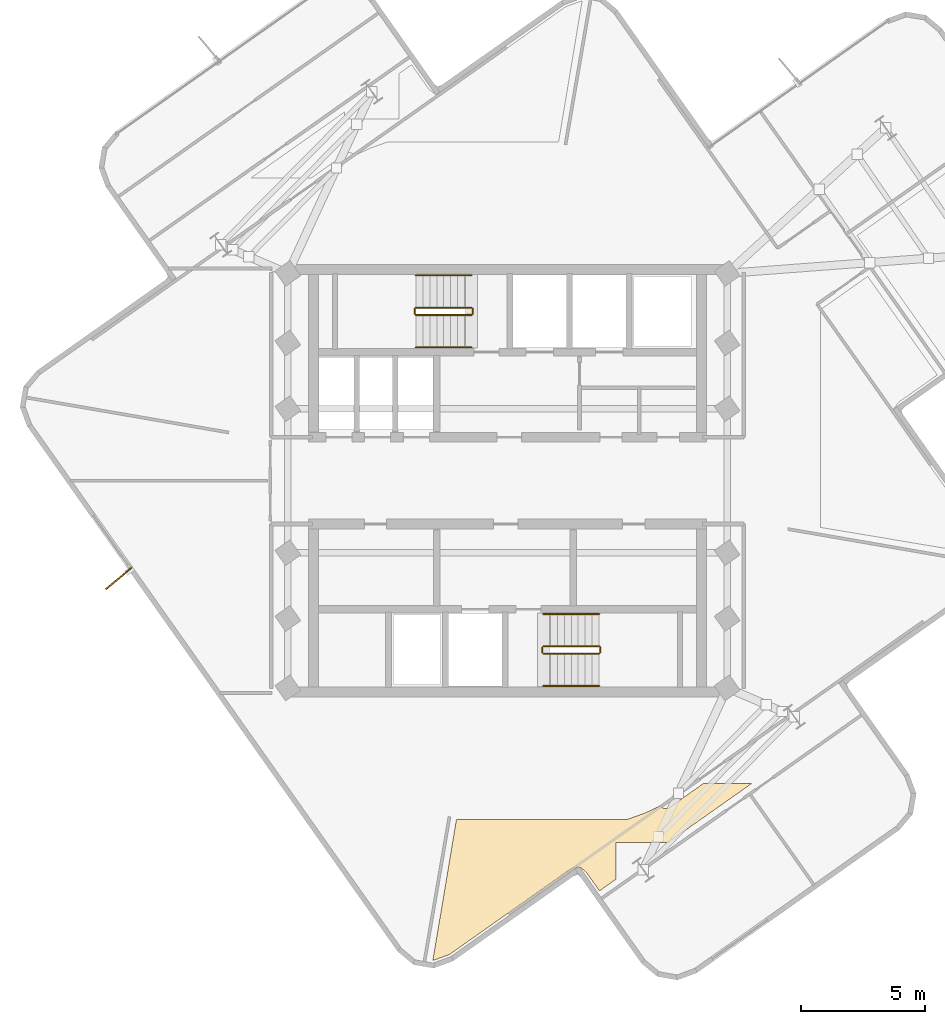
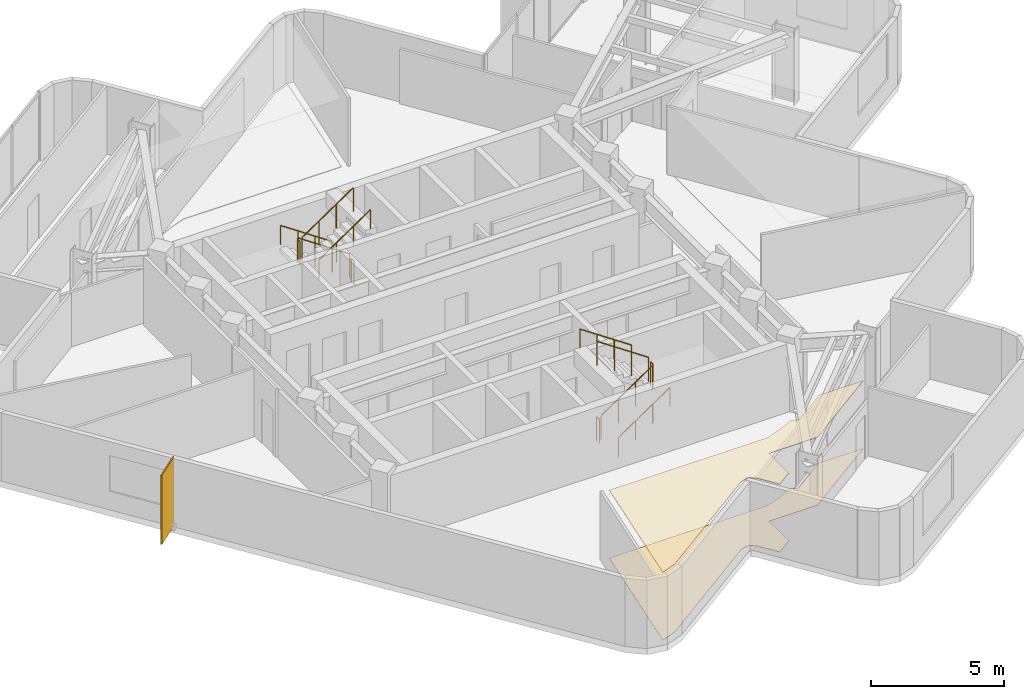
# One storey, part 7 of 8: 12 railings, 2 coverings, 1 shading device.
"""IFC4 building model written with IfcOpenShell, lengths in metres."""

from ifc_helpers import new_model, si_unit, direction, frame, origin, origin_2d, place, context, subcontext, project, spatial, polyline, rectangle, circle, outline, extrude, material, layer, layer_set, type_object, element, save


model = new_model("IFC4")

# Units and contexts
model_context = context("Model", 3, precision=1e-05, world=origin(), true_north=direction((0.0, 1.0)))
body_context = subcontext(model_context, "Body", "Model", "MODEL_VIEW")
ifc_project = project(units=[si_unit("LENGTHUNIT", "METRE"), si_unit("AREAUNIT", "SQUARE_METRE"), si_unit("VOLUMEUNIT", "CUBIC_METRE"), si_unit("PLANEANGLEUNIT", "RADIAN"), si_unit("MASSUNIT", "GRAM", prefix="KILO")], contexts=[model_context])

# Site, building, storey
site_placement = place(None, origin())
site = spatial("IfcSite", under=ifc_project, at=site_placement, CompositionType="ELEMENT")
building_placement = place(site_placement, origin())
building = spatial("IfcBuilding", under=site, at=building_placement, Name="Solmarez Civic Tower", CompositionType="ELEMENT")
storey_placement = place(building_placement, frame((0.0, 0.0, 225.719970703125)))
storey = spatial("IfcBuildingStorey", under=building, at=storey_placement, Name="L60", CompositionType="ELEMENT", Elevation=225.719970703125)

# Coverings
ifc_material_1 = material(Name="Perforated Mineral-Fibre Acoustic Ceiling")
ifc_layer_1 = layer(ifc_material_1, 0.02490234375)
ifc_layer_set_1 = layer_set([ifc_layer_1], Name="Perforated Mineral-Fibre Acoustic Ceiling")
covering_type_1 = type_object("IfcCoveringType", Name="COV-CEIL-ACOUSTIC", PredefinedType="CEILING", material=ifc_layer_set_1)
covering_1_placement = place(storey_placement, frame((0.0, 0.0, 3.114990234375)))
element("IfcCovering", 1, at=covering_1_placement, inside=storey, type_object=covering_type_1, Name="L60 Suspended Acoustic Ceiling 2", PredefinedType="CEILING", context=body_context, shape_type="SweptSolid", body=[
    extrude(outline(polyline([(2.56005859375, -15.64794921875), (2.715087890625, -15.590087890625), (2.73193359375, -15.583984375), (2.739013671875, -15.58203125), (2.74609375, -15.5810546875), (2.75390625, -15.5791015625), (2.77587890625, -15.573974609375), (2.782958984375, -15.572998046875), (2.81396484375, -15.571044921875), (2.822021484375, -15.571044921875), (2.84912109375, -15.572998046875), (2.861083984375, -15.573974609375), (2.867919921875, -15.574951171875), (2.89697265625, -15.5810546875), (2.904052734375, -15.5830078125), (2.9208984375, -15.589111328125), (2.928955078125, -15.592041015625), (2.949951171875, -15.60107421875), (2.9560546875, -15.60400390625), (2.967041015625, -15.610107421875), (2.97412109375, -15.614013671875), (2.989990234375, -15.6240234375), (3.006103515625, -15.635986328125), (3.011962890625, -15.64111328125), (3.14404296875, -15.7509765625), (3.158935546875, -15.763916015625), (3.1640625, -15.76904296875), (3.1689453125, -15.77392578125), (3.18505859375, -15.79296875), (3.18896484375, -15.798095703125), (3.197021484375, -15.80810546875), (3.7041015625, -16.527099609375), (4.367919921875, -16.05908203125), (4.367919921875, -14.571044921875), (6.47705078125, -14.571044921875), (9.837890625, -12.199951171875), (7.89404296875, -12.199951171875), (6.528076171875, -13.1640625), (6.510009765625, -13.175048828125), (6.489990234375, -13.18505859375), (6.48095703125, -13.18896484375), (6.47412109375, -13.19189453125), (6.468994140625, -13.194091796875), (6.448974609375, -13.200927734375), (6.428955078125, -13.2060546875), (6.408935546875, -13.208984375), (6.39892578125, -13.2099609375), (6.3759765625, -13.2109375), (6.35302734375, -13.2099609375), (6.343994140625, -13.208984375), (6.324951171875, -13.2060546875), (6.320068359375, -13.205078125), (6.29296875, -13.197998046875), (6.283935546875, -13.195068359375), (6.261962890625, -13.18603515625), (6.240966796875, -13.175048828125), (6.236083984375, -13.172119140625), (6.219970703125, -13.160888671875), (6.2060546875, -13.14990234375), (6.198974609375, -13.14404296875), (6.18603515625, -13.133056640625), (6.178955078125, -13.1259765625), (6.1669921875, -13.112060546875), (6.156005859375, -13.097900390625), (5.552978515625, -13.384033203125), (5.532958984375, -13.39208984375), (4.85107421875, -13.635986328125), (4.844970703125, -13.637939453125), (4.818115234375, -13.64501953125), (4.81298828125, -13.64599609375), (4.7919921875, -13.64892578125), (4.77001953125, -13.64990234375), (-2.05810546875, -13.64990234375), (-3.007080078125, -19.330078125), (-3.0, -19.3310546875), (-2.3349609375, -19.0869140625), (2.485107421875, -15.68505859375), (2.489990234375, -15.681884765625), (2.49609375, -15.677978515625), (2.52001953125, -15.6640625), (2.52587890625, -15.660888671875), (2.5439453125, -15.653076171875), (2.56005859375, -15.64794921875)])), origin(), (0.0, 0.0, 1.0), 0.025146484375),
])
ifc_material_2 = material(Name="Polished Tropical Stone Terrazzo Flooring", Category="masonry")
ifc_layer_2 = layer(ifc_material_2, 0.02001953125)
ifc_layer_set_2 = layer_set([ifc_layer_2], Name="Polished Tropical Stone Terrazzo Flooring")
covering_type_2 = type_object("IfcCoveringType", Name="COV-FLOOR-TERRAZZO", PredefinedType="FLOORING", material=ifc_layer_set_2)
covering_2_placement = place(storey_placement, origin())
element("IfcCovering", 2, at=covering_2_placement, inside=storey, type_object=covering_type_2, Name="L60 Terrazzo Floor Finish 2", PredefinedType="FLOORING", context=body_context, shape_type="SweptSolid", body=[
    extrude(outline(polyline([(2.56005859375, -15.64794921875), (2.715087890625, -15.590087890625), (2.73193359375, -15.583984375), (2.739013671875, -15.58203125), (2.74609375, -15.5810546875), (2.75390625, -15.5791015625), (2.77587890625, -15.573974609375), (2.782958984375, -15.572998046875), (2.81396484375, -15.571044921875), (2.822021484375, -15.571044921875), (2.84912109375, -15.572998046875), (2.861083984375, -15.573974609375), (2.867919921875, -15.574951171875), (2.89697265625, -15.5810546875), (2.904052734375, -15.5830078125), (2.9208984375, -15.589111328125), (2.928955078125, -15.592041015625), (2.949951171875, -15.60107421875), (2.9560546875, -15.60400390625), (2.967041015625, -15.610107421875), (2.97412109375, -15.614013671875), (2.989990234375, -15.6240234375), (3.006103515625, -15.635986328125), (3.011962890625, -15.64111328125), (3.14404296875, -15.7509765625), (3.158935546875, -15.763916015625), (3.1640625, -15.76904296875), (3.1689453125, -15.77392578125), (3.18505859375, -15.79296875), (3.18896484375, -15.798095703125), (3.197021484375, -15.80810546875), (3.7041015625, -16.527099609375), (4.367919921875, -16.05908203125), (4.367919921875, -14.571044921875), (6.47705078125, -14.571044921875), (9.837890625, -12.199951171875), (7.89404296875, -12.199951171875), (6.528076171875, -13.1640625), (6.510009765625, -13.175048828125), (6.489990234375, -13.18505859375), (6.48095703125, -13.18896484375), (6.47412109375, -13.19189453125), (6.468994140625, -13.194091796875), (6.448974609375, -13.200927734375), (6.428955078125, -13.2060546875), (6.408935546875, -13.208984375), (6.39892578125, -13.2099609375), (6.3759765625, -13.2109375), (6.35302734375, -13.2099609375), (6.343994140625, -13.208984375), (6.324951171875, -13.2060546875), (6.320068359375, -13.205078125), (6.29296875, -13.197998046875), (6.283935546875, -13.195068359375), (6.261962890625, -13.18603515625), (6.240966796875, -13.175048828125), (6.236083984375, -13.172119140625), (6.219970703125, -13.160888671875), (6.2060546875, -13.14990234375), (6.198974609375, -13.14404296875), (6.18603515625, -13.133056640625), (6.178955078125, -13.1259765625), (6.1669921875, -13.112060546875), (6.156005859375, -13.097900390625), (5.552978515625, -13.384033203125), (5.532958984375, -13.39208984375), (4.85107421875, -13.635986328125), (4.844970703125, -13.637939453125), (4.818115234375, -13.64501953125), (4.81298828125, -13.64599609375), (4.7919921875, -13.64892578125), (4.77001953125, -13.64990234375), (-2.05810546875, -13.64990234375), (-3.007080078125, -19.330078125), (-3.0, -19.3310546875), (-2.3349609375, -19.0869140625), (2.485107421875, -15.68505859375), (2.489990234375, -15.681884765625), (2.49609375, -15.677978515625), (2.52001953125, -15.6640625), (2.52587890625, -15.660888671875), (2.5439453125, -15.653076171875), (2.56005859375, -15.64794921875)])), origin(), (0.0, 0.0, 1.0), 0.02001953125),
])

# Shading device
ifc_material_3 = material(Name="Bronze Anodised Aluminium EN AW-6063 T6", Category="aluminium")
ifc_layer_3 = layer(ifc_material_3, 0.054931640625)
ifc_layer_set_3 = layer_set([ifc_layer_3], Name="Bronze Anodised Aluminium EN AW-6063 T6")
shading_device_type = type_object("IfcShadingDeviceType", Name="FIN-BRONZE-Z56", PredefinedType="USERDEFINED", material=ifc_layer_set_3)
shading_device_placement = place(storey_placement, frame((-15.6669921875, -3.943115234375, -0.0400390625), z_axis=(0.0, 0.0, 1.0), x_axis=(-0.766705943706, -0.641998439161, 0.0)))
element("IfcShadingDevice", 3, at=shading_device_placement, inside=storey, type_object=shading_device_type, Name="L60 Anodised Bronze Solar Fin FIN-L60-01", ObjectType="FIN", PredefinedType="USERDEFINED", context=body_context, shape_type="SweptSolid", body=[
    extrude(rectangle(XDim=1.35009765625, YDim=0.054931640625, at=origin_2d()), origin(), (0.0, 0.0, 1.0), 3.179931640625),
])

# Railings
ifc_material_4 = material(Name="Painted Steel Stairwell Safety Guard", Category="steel")
railing_type_1 = type_object("IfcRailingType", Name="GUARD-STAIR-1120", PredefinedType="BALUSTRADE", material=ifc_material_4)
railing_1_placement = place(storey_placement, frame((-1.449951171875, 6.969970703125, 0.18994140625)))
element("IfcRailing", 4, at=railing_1_placement, inside=storey, type_object=railing_type_1, Name="L60 ST-1 stair guard 1", PredefinedType="BALUSTRADE", context=body_context, shape_type="SweptSolid", body=[
    extrude(circle(Radius=0.02392578125, at=origin_2d()), frame((0.0, 0.0, 1.09619140625), z_axis=(-0.827471284677, 0.0, 0.561508034703), x_axis=(0.0, -1.0, 0.0)), (0.0, 0.0, 1.0), 2.70703125),
    extrude(circle(Radius=0.02099609375, at=origin_2d()), origin(), (0.0, 0.0, 1.0), 1.072021484375),
    extrude(circle(Radius=0.02099609375, at=origin_2d()), frame((-0.74658203125, 0.0, 0.506591796875)), (0.0, 0.0, 1.0), 1.072021484375),
    extrude(circle(Radius=0.02099609375, at=origin_2d()), frame((-1.493408203125, 0.0, 1.013427734375)), (0.0, 0.0, 1.0), 1.072021484375),
    extrude(circle(Radius=0.02099609375, at=origin_2d()), frame((-2.239990234375, 0.0, 1.52001953125)), (0.0, 0.0, 1.0), 1.072021484375),
])
railing_2_placement = place(storey_placement, frame((-3.739990234375, 6.919921875, 1.7099609375)))
element("IfcRailing", 5, at=railing_2_placement, inside=storey, type_object=railing_type_1, Name="L60 ST-1 stair guard 2", PredefinedType="BALUSTRADE", context=body_context, shape_type="SweptSolid", body=[
    extrude(circle(Radius=0.02392578125, at=origin_2d()), frame((0.0, 0.0, 1.09619140625), z_axis=(0.0, -1.0, 0.0), x_axis=(1.0, 0.0, 0.0)), (0.0, 0.0, 1.0), 0.199951171875),
    extrude(circle(Radius=0.02099609375, at=origin_2d()), origin(), (0.0, 0.0, 1.0), 1.072021484375),
    extrude(circle(Radius=0.02099609375, at=origin_2d()), frame((0.0, -0.199951171875, 0.0)), (0.0, 0.0, 1.0), 1.072021484375),
])
railing_3_placement = place(storey_placement, frame((-3.68994140625, 6.669921875, 1.900146484375)))
element("IfcRailing", 6, at=railing_3_placement, inside=storey, type_object=railing_type_1, Name="L60 ST-1 stair guard 3", PredefinedType="BALUSTRADE", context=body_context, shape_type="SweptSolid", body=[
    extrude(circle(Radius=0.02392578125, at=origin_2d()), frame((0.0, 0.0, 1.09619140625), z_axis=(0.827513188522, 0.0, 0.561446277771), x_axis=(0.0, 1.0, 0.0)), (0.0, 0.0, 1.0), 2.706787109375),
    extrude(circle(Radius=0.02099609375, at=origin_2d()), origin(), (0.0, 0.0, 1.0), 1.072021484375),
    extrude(circle(Radius=0.02099609375, at=origin_2d()), frame((0.74658203125, 0.0, 0.506591796875)), (0.0, 0.0, 1.0), 1.072021484375),
    extrude(circle(Radius=0.02099609375, at=origin_2d()), frame((1.493408203125, 0.0, 1.01318359375)), (0.0, 0.0, 1.0), 1.072021484375),
    extrude(circle(Radius=0.02099609375, at=origin_2d()), frame((2.239990234375, 0.0, 1.519775390625)), (0.0, 0.0, 1.0), 1.072021484375),
])
railing_4_placement = place(storey_placement, frame((-1.39990234375, 6.919921875, 0.0)))
element("IfcRailing", 7, at=railing_4_placement, inside=storey, type_object=railing_type_1, Name="L60 ST-1 stair guard 4", PredefinedType="BALUSTRADE", context=body_context, shape_type="SweptSolid", body=[
    extrude(circle(Radius=0.02392578125, at=origin_2d()), frame((0.0, 0.0, 1.09619140625), z_axis=(0.0, -1.0, 0.0), x_axis=(1.0, 0.0, 0.0)), (0.0, 0.0, 1.0), 0.199951171875),
    extrude(circle(Radius=0.02099609375, at=origin_2d()), origin(), (0.0, 0.0, 1.0), 1.072021484375),
    extrude(circle(Radius=0.02099609375, at=origin_2d()), frame((0.0, -0.199951171875, 0.0)), (0.0, 0.0, 1.0), 1.072021484375),
])
railing_5_placement = place(storey_placement, frame((1.449951171875, -6.969970703125, 0.18994140625)))
element("IfcRailing", 8, at=railing_5_placement, inside=storey, type_object=railing_type_1, Name="L60 ST-2 stair guard 1", PredefinedType="BALUSTRADE", context=body_context, shape_type="SweptSolid", body=[
    extrude(circle(Radius=0.02392578125, at=origin_2d()), frame((0.0, 0.0, 1.09619140625), z_axis=(0.827471284677, 0.0, 0.561508034703), x_axis=(0.0, 1.0, 0.0)), (0.0, 0.0, 1.0), 2.70703125),
    extrude(circle(Radius=0.02099609375, at=origin_2d()), origin(), (0.0, 0.0, 1.0), 1.072021484375),
    extrude(circle(Radius=0.02099609375, at=origin_2d()), frame((0.74658203125, 0.0, 0.506591796875)), (0.0, 0.0, 1.0), 1.072021484375),
    extrude(circle(Radius=0.02099609375, at=origin_2d()), frame((1.493408203125, 0.0, 1.013427734375)), (0.0, 0.0, 1.0), 1.072021484375),
    extrude(circle(Radius=0.02099609375, at=origin_2d()), frame((2.239990234375, 0.0, 1.52001953125)), (0.0, 0.0, 1.0), 1.072021484375),
])
railing_6_placement = place(storey_placement, frame((3.739990234375, -6.919921875, 1.7099609375)))
element("IfcRailing", 9, at=railing_6_placement, inside=storey, type_object=railing_type_1, Name="L60 ST-2 stair guard 2", PredefinedType="BALUSTRADE", context=body_context, shape_type="SweptSolid", body=[
    extrude(circle(Radius=0.02392578125, at=origin_2d()), frame((0.0, 0.0, 1.09619140625), z_axis=(0.0, 1.0, 0.0), x_axis=(-1.0, 0.0, 0.0)), (0.0, 0.0, 1.0), 0.199951171875),
    extrude(circle(Radius=0.02099609375, at=origin_2d()), origin(), (0.0, 0.0, 1.0), 1.072021484375),
    extrude(circle(Radius=0.02099609375, at=origin_2d()), frame((0.0, 0.199951171875, 0.0)), (0.0, 0.0, 1.0), 1.072021484375),
])
railing_7_placement = place(storey_placement, frame((3.68994140625, -6.669921875, 1.900146484375)))
element("IfcRailing", 10, at=railing_7_placement, inside=storey, type_object=railing_type_1, Name="L60 ST-2 stair guard 3", PredefinedType="BALUSTRADE", context=body_context, shape_type="SweptSolid", body=[
    extrude(circle(Radius=0.02392578125, at=origin_2d()), frame((0.0, 0.0, 1.09619140625), z_axis=(-0.827513188522, 0.0, 0.561446277771), x_axis=(0.0, -1.0, 0.0)), (0.0, 0.0, 1.0), 2.706787109375),
    extrude(circle(Radius=0.02099609375, at=origin_2d()), origin(), (0.0, 0.0, 1.0), 1.072021484375),
    extrude(circle(Radius=0.02099609375, at=origin_2d()), frame((-0.74658203125, 0.0, 0.506591796875)), (0.0, 0.0, 1.0), 1.072021484375),
    extrude(circle(Radius=0.02099609375, at=origin_2d()), frame((-1.493408203125, 0.0, 1.01318359375)), (0.0, 0.0, 1.0), 1.072021484375),
    extrude(circle(Radius=0.02099609375, at=origin_2d()), frame((-2.239990234375, 0.0, 1.519775390625)), (0.0, 0.0, 1.0), 1.072021484375),
])
railing_8_placement = place(storey_placement, frame((1.39990234375, -6.919921875, 0.0)))
element("IfcRailing", 11, at=railing_8_placement, inside=storey, type_object=railing_type_1, Name="L60 ST-2 stair guard 4", PredefinedType="BALUSTRADE", context=body_context, shape_type="SweptSolid", body=[
    extrude(circle(Radius=0.02392578125, at=origin_2d()), frame((0.0, 0.0, 1.09619140625), z_axis=(0.0, 1.0, 0.0), x_axis=(-1.0, 0.0, 0.0)), (0.0, 0.0, 1.0), 0.199951171875),
    extrude(circle(Radius=0.02099609375, at=origin_2d()), origin(), (0.0, 0.0, 1.0), 1.072021484375),
    extrude(circle(Radius=0.02099609375, at=origin_2d()), frame((0.0, 0.199951171875, 0.0)), (0.0, 0.0, 1.0), 1.072021484375),
])
ifc_material_5 = material(Name="Brushed Stainless Steel Tube Handrail", Category="steel")
railing_type_2 = type_object("IfcRailingType", Name="HANDRAIL-STAIR-900", PredefinedType="HANDRAIL", material=ifc_material_5)
railing_9_placement = place(storey_placement, frame((-1.449951171875, 8.27001953125, 0.18994140625)))
element("IfcRailing", 12, at=railing_9_placement, inside=storey, type_object=railing_type_2, Name="L60 ST-1 stair handrail 1", PredefinedType="HANDRAIL", context=body_context, shape_type="SweptSolid", body=[
    extrude(circle(Radius=0.02392578125, at=origin_2d()), frame((0.0, 0.0, 0.8759765625), z_axis=(-0.827471284677, 0.0, 0.561508034703), x_axis=(0.0, -1.0, 0.0)), (0.0, 0.0, 1.0), 2.70703125),
    extrude(circle(Radius=0.02099609375, at=origin_2d()), origin(), (0.0, 0.0, 1.0), 0.851806640625),
    extrude(circle(Radius=0.02099609375, at=origin_2d()), frame((-0.74658203125, 0.0, 0.506591796875)), (0.0, 0.0, 1.0), 0.851806640625),
    extrude(circle(Radius=0.02099609375, at=origin_2d()), frame((-1.493408203125, 0.0, 1.013427734375)), (0.0, 0.0, 1.0), 0.851806640625),
    extrude(circle(Radius=0.02099609375, at=origin_2d()), frame((-2.239990234375, 0.0, 1.52001953125)), (0.0, 0.0, 1.0), 0.851806640625),
])
railing_10_placement = place(storey_placement, frame((-3.68994140625, 5.3701171875, 1.900146484375)))
element("IfcRailing", 13, at=railing_10_placement, inside=storey, type_object=railing_type_2, Name="L60 ST-1 stair handrail 2", PredefinedType="HANDRAIL", context=body_context, shape_type="SweptSolid", body=[
    extrude(circle(Radius=0.02392578125, at=origin_2d()), frame((0.0, 0.0, 0.8759765625), z_axis=(0.827513188522, 0.0, 0.561446277771), x_axis=(0.0, 1.0, 0.0)), (0.0, 0.0, 1.0), 2.706787109375),
    extrude(circle(Radius=0.02099609375, at=origin_2d()), origin(), (0.0, 0.0, 1.0), 0.851806640625),
    extrude(circle(Radius=0.02099609375, at=origin_2d()), frame((0.74658203125, 0.0, 0.506591796875)), (0.0, 0.0, 1.0), 0.851806640625),
    extrude(circle(Radius=0.02099609375, at=origin_2d()), frame((1.493408203125, 0.0, 1.01318359375)), (0.0, 0.0, 1.0), 0.851806640625),
    extrude(circle(Radius=0.02099609375, at=origin_2d()), frame((2.239990234375, 0.0, 1.519775390625)), (0.0, 0.0, 1.0), 0.851806640625),
])
railing_11_placement = place(storey_placement, frame((1.449951171875, -8.27001953125, 0.18994140625)))
element("IfcRailing", 14, at=railing_11_placement, inside=storey, type_object=railing_type_2, Name="L60 ST-2 stair handrail 1", PredefinedType="HANDRAIL", context=body_context, shape_type="SweptSolid", body=[
    extrude(circle(Radius=0.02392578125, at=origin_2d()), frame((0.0, 0.0, 0.8759765625), z_axis=(0.827471284677, 0.0, 0.561508034703), x_axis=(0.0, 1.0, 0.0)), (0.0, 0.0, 1.0), 2.70703125),
    extrude(circle(Radius=0.02099609375, at=origin_2d()), origin(), (0.0, 0.0, 1.0), 0.851806640625),
    extrude(circle(Radius=0.02099609375, at=origin_2d()), frame((0.74658203125, 0.0, 0.506591796875)), (0.0, 0.0, 1.0), 0.851806640625),
    extrude(circle(Radius=0.02099609375, at=origin_2d()), frame((1.493408203125, 0.0, 1.013427734375)), (0.0, 0.0, 1.0), 0.851806640625),
    extrude(circle(Radius=0.02099609375, at=origin_2d()), frame((2.239990234375, 0.0, 1.52001953125)), (0.0, 0.0, 1.0), 0.851806640625),
])
railing_12_placement = place(storey_placement, frame((3.68994140625, -5.3701171875, 1.900146484375)))
element("IfcRailing", 15, at=railing_12_placement, inside=storey, type_object=railing_type_2, Name="L60 ST-2 stair handrail 2", PredefinedType="HANDRAIL", context=body_context, shape_type="SweptSolid", body=[
    extrude(circle(Radius=0.02392578125, at=origin_2d()), frame((0.0, 0.0, 0.8759765625), z_axis=(-0.827513188522, 0.0, 0.561446277771), x_axis=(0.0, -1.0, 0.0)), (0.0, 0.0, 1.0), 2.706787109375),
    extrude(circle(Radius=0.02099609375, at=origin_2d()), origin(), (0.0, 0.0, 1.0), 0.851806640625),
    extrude(circle(Radius=0.02099609375, at=origin_2d()), frame((-0.74658203125, 0.0, 0.506591796875)), (0.0, 0.0, 1.0), 0.851806640625),
    extrude(circle(Radius=0.02099609375, at=origin_2d()), frame((-1.493408203125, 0.0, 1.01318359375)), (0.0, 0.0, 1.0), 0.851806640625),
    extrude(circle(Radius=0.02099609375, at=origin_2d()), frame((-2.239990234375, 0.0, 1.519775390625)), (0.0, 0.0, 1.0), 0.851806640625),
])

save(model, "model.ifc")
